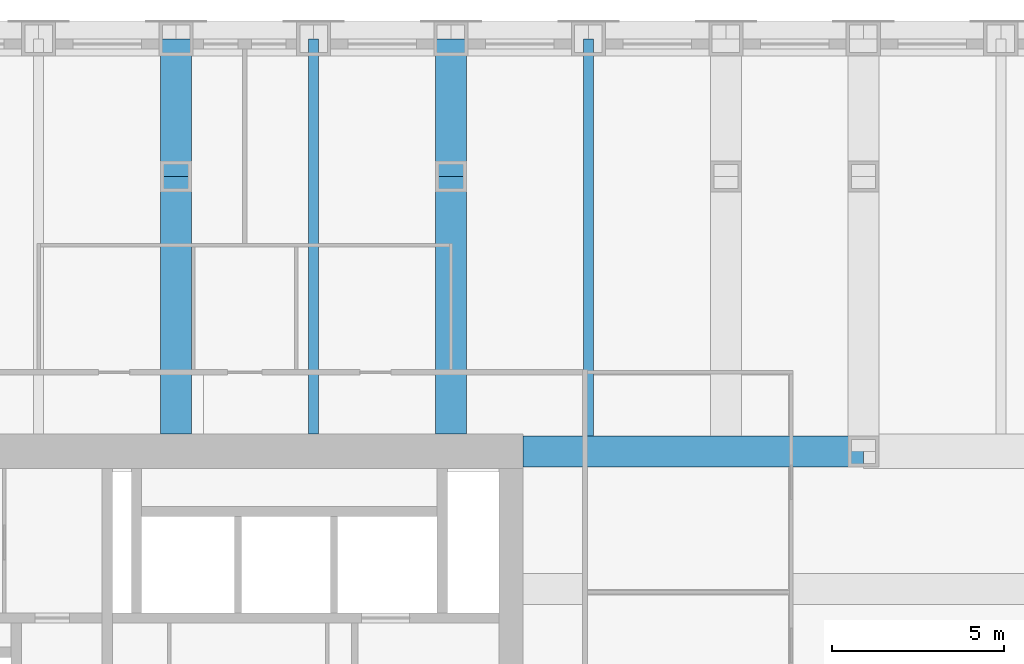
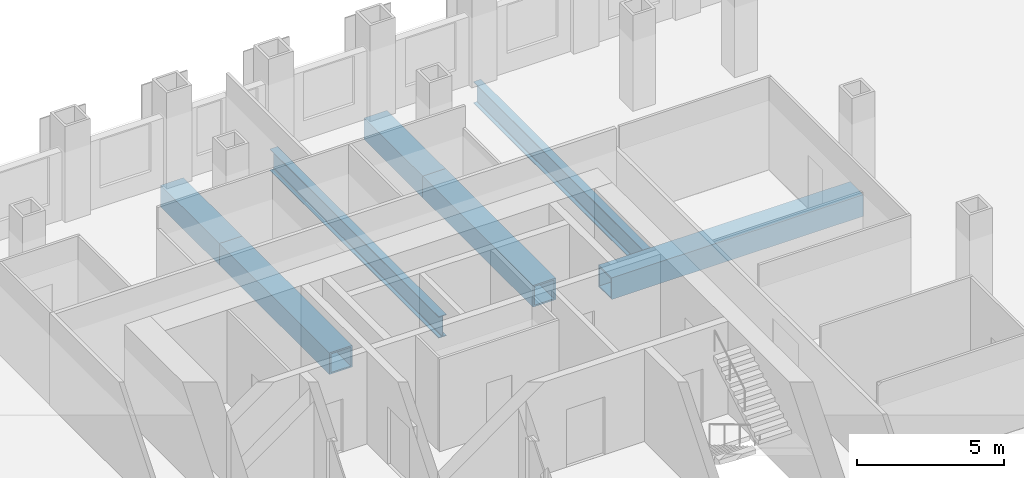
# One storey, part 7 of 16: 7 beams.
"""IFC4 building model written with IfcOpenShell, lengths in metres."""

from ifc_helpers import new_model, si_unit, direction, frame, origin, origin_2d, place, context, subcontext, project, spatial, hollow_rectangle, i_section, extrude, material, material_profile, profile_set, type_object, element, save


model = new_model("IFC4")

# Units and contexts
model_context = context("Model", 3, precision=1e-05, world=origin(), true_north=direction((0.0, 1.0)))
body_context = subcontext(model_context, "Body", "Model", "MODEL_VIEW")
ifc_project = project(units=[si_unit("LENGTHUNIT", "METRE"), si_unit("AREAUNIT", "SQUARE_METRE"), si_unit("VOLUMEUNIT", "CUBIC_METRE"), si_unit("PLANEANGLEUNIT", "RADIAN"), si_unit("MASSUNIT", "GRAM", prefix="KILO")], contexts=[model_context])

# Site, building, storey
site_placement = place(None, origin())
site = spatial("IfcSite", under=ifc_project, at=site_placement, CompositionType="ELEMENT")
building_placement = place(site_placement, origin())
building = spatial("IfcBuilding", under=site, at=building_placement, Name="Rimbunsela Tower", CompositionType="ELEMENT")
storey_placement = place(building_placement, frame((0.0, 0.0, 81.39990234375)))
storey = spatial("IfcBuildingStorey", under=building, at=storey_placement, Name="L19", CompositionType="ELEMENT", Elevation=81.39990234375)

# Beams
ifc_material_1 = material(Name="Steel BJ 55 (fy 410 MPa)", Category="steel")
ifc_material_profile_1 = material_profile(ifc_material_1, hollow_rectangle(XDim=0.89990234375, YDim=0.89990234375, WallThickness=0.06005859375, at=origin_2d()), Name="BOX 900x900x60")
ifc_profile_set_1 = profile_set([ifc_material_profile_1], Name="Steel BJ 55 (fy 410 MPa)")
beam_type_1 = type_object("IfcBeamType", Name="Beam BOX 900x900x60", PredefinedType="BEAM", material=ifc_profile_set_1)
beam_1_placement = place(storey_placement, frame((26.0, 36.5, -0.599853515625), z_axis=(0.0, 1.0, 0.0), x_axis=(-1.0, 0.0, 0.0)))
element("IfcBeam", 1, at=beam_1_placement, inside=storey, type_object=beam_type_1, Name="Beam B1 L19", PredefinedType="BEAM", context=body_context, shape_type="SweptSolid", body=[
    extrude(hollow_rectangle(XDim=0.89990234375, YDim=0.89990234375, WallThickness=0.06005859375, at=origin_2d()), origin(), (0.0, 0.0, 1.0), 7.5),
])
beam_2_placement = place(storey_placement, frame((26.0, 44.0, -0.599853515625), z_axis=(0.0, 1.0, 0.0), x_axis=(-1.0, 0.0, 0.0)))
element("IfcBeam", 2, at=beam_2_placement, inside=storey, type_object=beam_type_1, Name="Beam B1 L19", PredefinedType="BEAM", context=body_context, shape_type="SweptSolid", body=[
    extrude(hollow_rectangle(XDim=0.89990234375, YDim=0.89990234375, WallThickness=0.06005859375, at=origin_2d()), origin(), (0.0, 0.0, 1.0), 4.0),
])
beam_3_placement = place(storey_placement, frame((34.0, 36.5, -0.599853515625), z_axis=(0.0, 1.0, 0.0), x_axis=(-1.0, 0.0, 0.0)))
element("IfcBeam", 3, at=beam_3_placement, inside=storey, type_object=beam_type_1, Name="Beam B1 L19", PredefinedType="BEAM", context=body_context, shape_type="SweptSolid", body=[
    extrude(hollow_rectangle(XDim=0.89990234375, YDim=0.89990234375, WallThickness=0.06005859375, at=origin_2d()), origin(), (0.0, 0.0, 1.0), 7.5),
])
beam_4_placement = place(storey_placement, frame((34.0, 44.0, -0.599853515625), z_axis=(0.0, 1.0, 0.0), x_axis=(-1.0, 0.0, 0.0)))
element("IfcBeam", 4, at=beam_4_placement, inside=storey, type_object=beam_type_1, Name="Beam B1 L19", PredefinedType="BEAM", context=body_context, shape_type="SweptSolid", body=[
    extrude(hollow_rectangle(XDim=0.89990234375, YDim=0.89990234375, WallThickness=0.06005859375, at=origin_2d()), origin(), (0.0, 0.0, 1.0), 4.0),
])
beam_5_placement = place(storey_placement, frame((36.10009765625, 36.0, -0.599853515625), z_axis=(1.0, 0.0, 0.0), x_axis=(0.0, 1.0, 0.0)))
element("IfcBeam", 5, at=beam_5_placement, inside=storey, type_object=beam_type_1, Name="Beam B1 L19", PredefinedType="BEAM", context=body_context, shape_type="SweptSolid", body=[
    extrude(hollow_rectangle(XDim=0.89990234375, YDim=0.89990234375, WallThickness=0.06005859375, at=origin_2d()), origin(), (0.0, 0.0, 1.0), 9.89990234375),
])
ifc_material_2 = material(Name="Steel BJ 55 (fy 410 MPa)", Category="steel")
ifc_material_profile_2 = material_profile(ifc_material_2, i_section(OverallWidth=0.300048828125, OverallDepth=0.89990234375, WebThickness=0.01611328125, FlangeThickness=0.028076171875, FilletRadius=0.028076171875, at=origin_2d()), Name="H 900x300x16x28")
ifc_profile_set_2 = profile_set([ifc_material_profile_2], Name="Steel BJ 55 (fy 410 MPa)")
beam_type_2 = type_object("IfcBeamType", Name="Beam H 900x300x16x28", PredefinedType="BEAM", material=ifc_profile_set_2)
beam_6_placement = place(storey_placement, frame((30.0, 36.5, -0.599853515625), z_axis=(0.0, 1.0, 0.0), x_axis=(-1.0, 0.0, 0.0)))
element("IfcBeam", 6, at=beam_6_placement, inside=storey, type_object=beam_type_2, Name="Beam B2 L19", PredefinedType="BEAM", context=body_context, shape_type="SweptSolid", body=[
    extrude(i_section(OverallWidth=0.300048828125, OverallDepth=0.89990234375, WebThickness=0.01611328125, FlangeThickness=0.028076171875, FilletRadius=0.028076171875, at=origin_2d()), origin(), (0.0, 0.0, 1.0), 11.5),
])
beam_7_placement = place(storey_placement, frame((38.0, 36.449951171875, -0.599853515625), z_axis=(0.0, 1.0, 0.0), x_axis=(-1.0, 0.0, 0.0)))
element("IfcBeam", 7, at=beam_7_placement, inside=storey, type_object=beam_type_2, Name="Beam B2 L19", PredefinedType="BEAM", context=body_context, shape_type="SweptSolid", body=[
    extrude(i_section(OverallWidth=0.300048828125, OverallDepth=0.89990234375, WebThickness=0.01611328125, FlangeThickness=0.028076171875, FilletRadius=0.028076171875, at=origin_2d()), origin(), (0.0, 0.0, 1.0), 11.550048828125),
])

save(model, "model.ifc")
